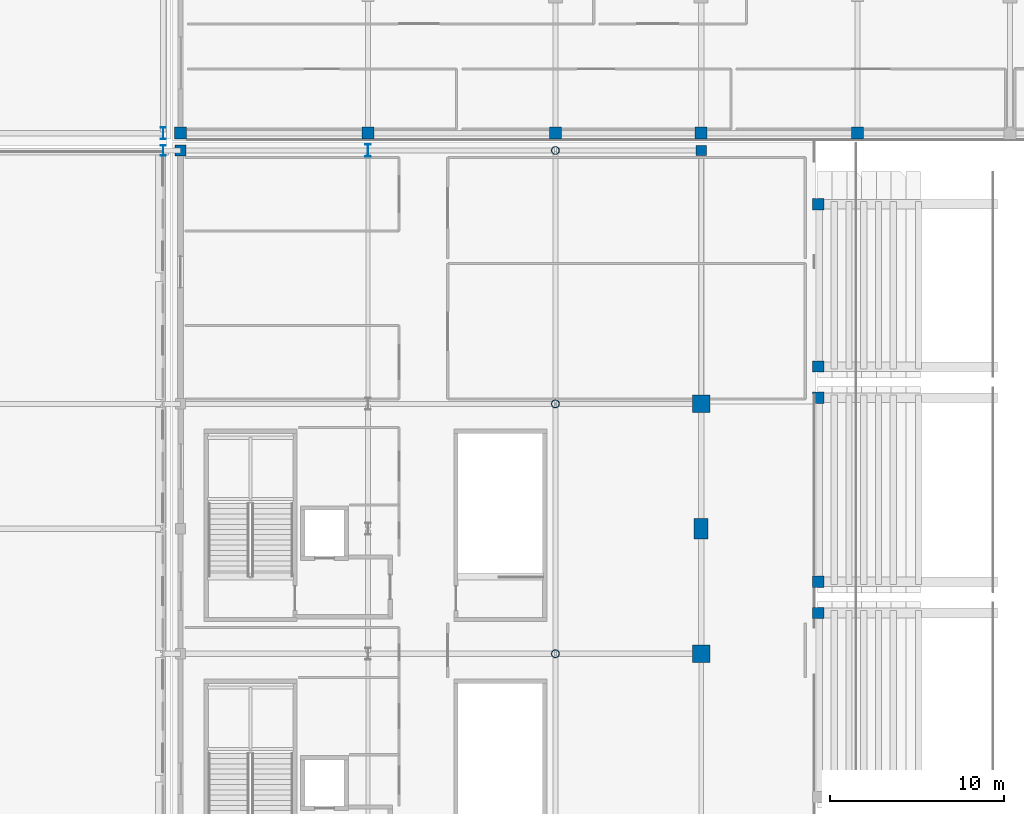
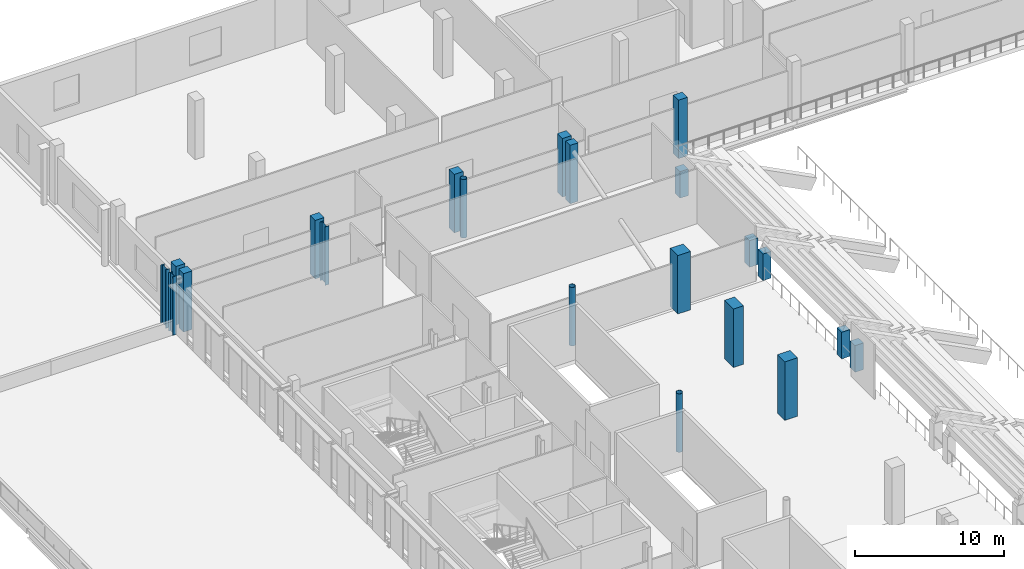
# One storey, part 5 of 74: 21 columns.
"""IFC4 building model written with IfcOpenShell, lengths in metres."""

from ifc_helpers import new_model, si_unit, direction, frame, origin, origin_2d, place, context, subcontext, project, spatial, rectangle, hollow_circle, i_section, extrude, material, material_profile, profile_set, type_object, element, save


model = new_model("IFC4")

# Units and contexts
model_context = context("Model", 3, precision=1e-05, world=origin(), true_north=direction((0.0, 1.0)))
body_context = subcontext(model_context, "Body", "Model", "MODEL_VIEW")
ifc_project = project(units=[si_unit("LENGTHUNIT", "METRE"), si_unit("AREAUNIT", "SQUARE_METRE"), si_unit("VOLUMEUNIT", "CUBIC_METRE"), si_unit("PLANEANGLEUNIT", "RADIAN"), si_unit("MASSUNIT", "GRAM", prefix="KILO")], contexts=[model_context])

# Site, building, storey
site_placement = place(None, origin())
site = spatial("IfcSite", under=ifc_project, at=site_placement, CompositionType="ELEMENT")
building_placement = place(site_placement, origin())
building = spatial("IfcBuilding", under=site, at=building_placement, Name="Koshinbarg Plaza Stadium", CompositionType="ELEMENT")
storey_placement = place(building_placement, frame((0.0, 0.0, 15.0)))
storey = spatial("IfcBuildingStorey", under=building, at=storey_placement, Name="L03", CompositionType="ELEMENT", Elevation=15.0)

# Columns
ifc_material_1 = material(Name="Concrete C40/50", Category="concrete")
ifc_material_profile_1 = material_profile(ifc_material_1, rectangle(XDim=0.60009765625, YDim=0.60009765625, at=origin_2d()), Name="RC 600x600")
ifc_profile_set_1 = profile_set([ifc_material_profile_1], Name="Concrete C40/50")
column_type_1 = type_object("IfcColumnType", Name="COL-RC-04", PredefinedType="COLUMN", material=ifc_profile_set_1)
column_1_placement = place(storey_placement, frame((54.60009765625, 126.5, 0.0), z_axis=(0.0, 0.0, 1.0), x_axis=(1.0, 0.0, 0.0)))
element("IfcColumn", 1, at=column_1_placement, inside=storey, type_object=column_type_1, Name="L03 column 8/R", PredefinedType="COLUMN", context=body_context, shape_type="SweptSolid", body=[
    extrude(rectangle(XDim=0.60009765625, YDim=0.60009765625, at=origin_2d()), origin(), (0.0, 0.0, 1.0), 4.800048828125),
])
ifc_material_profile_2 = material_profile(ifc_material_1, rectangle(XDim=0.64990234375, YDim=0.64990234375, at=origin_2d()), Name="RC 650x650")
ifc_profile_set_2 = profile_set([ifc_material_profile_2], Name="Concrete C40/50")
column_type_2 = type_object("IfcColumnType", Name="COL-RC-05", PredefinedType="COLUMN", material=ifc_profile_set_2)
column_2_placement = place(storey_placement, frame((24.60009765625, 126.5, 0.0), z_axis=(0.0, 0.0, 1.0), x_axis=(1.0, 0.0, 0.0)))
element("IfcColumn", 2, at=column_2_placement, inside=storey, type_object=column_type_2, Name="L03 column 5/R", PredefinedType="COLUMN", context=body_context, shape_type="SweptSolid", body=[
    extrude(rectangle(XDim=0.64990234375, YDim=0.64990234375, at=origin_2d()), origin(), (0.0, 0.0, 1.0), 4.800048828125),
])
for number, where, z_axis, x_axis, name in (
    (3, (61.340087890625, 99.85009765625, 0.0), (0.0, 0.0, 1.0), (1.0, 0.0, 0.0), "L03 bowl raker column UT-W06-R-CB"),
    (4, (61.340087890625, 101.64990234375, 0.0), (0.0, 0.0, 1.0), (1.0, 0.0, 0.0), "L03 bowl raker column UT-W07-L-CB"),
    (5, (61.340087890625, 112.25, 0.0), (0.0, 0.0, 1.0), (1.0, 0.0, 0.0), "L03 bowl raker column UT-W07-R-CB"),
    (6, (61.340087890625, 114.050048828125, 0.0), (0.0, 0.0, 1.0), (1.0, 0.0, 0.0), "L03 bowl raker column UT-W08-L-CB"),
    (7, (61.340087890625, 123.39990234375, 0.0), (0.0, 0.0, 1.0), (1.0, 0.0, 0.0), "L03 bowl raker column UT-W08-R-CB"),
):
    element("IfcColumn", number, at=place(storey_placement, frame(where, z_axis=z_axis, x_axis=x_axis)), inside=storey, type_object=column_type_2, Name=name, PredefinedType="COLUMN", context=body_context, shape_type="SweptSolid", body=[
        extrude(rectangle(XDim=0.64990234375, YDim=0.64990234375, at=origin_2d()), origin(), (0.0, 0.0, 1.0), 2.18798828125),
    ])
ifc_material_profile_3 = material_profile(ifc_material_1, rectangle(XDim=0.699951171875, YDim=0.699951171875, at=origin_2d()), Name="RC 700x700")
ifc_profile_set_3 = profile_set([ifc_material_profile_3], Name="Concrete C40/50")
column_type_3 = type_object("IfcColumnType", Name="COL-RC-06", PredefinedType="COLUMN", material=ifc_profile_set_3)
for number, where, z_axis, x_axis, name in (
    (8, (24.60009765625, 127.5, 0.0), (0.0, 0.0, 1.0), (1.0, 0.0, 0.0), "L03 column 5/S"),
    (9, (35.39990234375, 127.5, 0.0), (0.0, 0.0, 1.0), (1.0, 0.0, 0.0), "L03 column 6/S"),
    (10, (46.199951171875, 127.5, 0.0), (0.0, 0.0, 1.0), (1.0, 0.0, 0.0), "L03 column 7/S"),
    (11, (54.60009765625, 127.5, 0.0), (0.0, 0.0, 1.0), (1.0, 0.0, 0.0), "L03 column 8/S"),
    (12, (63.60009765625, 127.5, 0.0), (0.0, 0.0, 1.0), (1.0, 0.0, 0.0), "L03 column 9/S"),
):
    element("IfcColumn", number, at=place(storey_placement, frame(where, z_axis=z_axis, x_axis=x_axis)), inside=storey, type_object=column_type_3, Name=name, PredefinedType="COLUMN", context=body_context, shape_type="SweptSolid", body=[
        extrude(rectangle(XDim=0.699951171875, YDim=0.699951171875, at=origin_2d()), origin(), (0.0, 0.0, 1.0), 4.800048828125),
    ])
ifc_material_profile_4 = material_profile(ifc_material_1, rectangle(XDim=1.0, YDim=1.0, at=origin_2d()), Name="RC 1000x1000")
ifc_profile_set_4 = profile_set([ifc_material_profile_4], Name="Concrete C40/50")
column_type_4 = type_object("IfcColumnType", Name="COL-RC-11", PredefinedType="COLUMN", material=ifc_profile_set_4)
for number, where, z_axis, x_axis, name in (
    (13, (54.60009765625, 97.5, 0.0), (0.0, 0.0, 1.0), (1.0, 0.0, 0.0), "L03 column 8/N"),
    (14, (54.60009765625, 111.89990234375, 0.0), (0.0, 0.0, 1.0), (1.0, 0.0, 0.0), "L03 column 8/Q"),
):
    element("IfcColumn", number, at=place(storey_placement, frame(where, z_axis=z_axis, x_axis=x_axis)), inside=storey, type_object=column_type_4, Name=name, PredefinedType="COLUMN", context=body_context, shape_type="SweptSolid", body=[
        extrude(rectangle(XDim=1.0, YDim=1.0, at=origin_2d()), origin(), (0.0, 0.0, 1.0), 4.800048828125),
    ])
ifc_material_profile_5 = material_profile(ifc_material_1, rectangle(XDim=0.800048828125, YDim=1.199951171875, at=origin_2d()), Name="RC 800x1200")
ifc_profile_set_5 = profile_set([ifc_material_profile_5], Name="Concrete C40/50")
column_type_5 = type_object("IfcColumnType", Name="COL-RC-14", PredefinedType="COLUMN", material=ifc_profile_set_5)
column_3_placement = place(storey_placement, frame((54.60009765625, 104.699951171875, 0.0), z_axis=(0.0, 0.0, 1.0), x_axis=(1.0, 0.0, 0.0)))
element("IfcColumn", 15, at=column_3_placement, inside=storey, type_object=column_type_5, Name="L03 column 8/P", PredefinedType="COLUMN", context=body_context, shape_type="SweptSolid", body=[
    extrude(rectangle(XDim=0.800048828125, YDim=1.199951171875, at=origin_2d()), origin(), (0.0, 0.0, 1.0), 4.800048828125),
])
ifc_material_2 = material(Name="Steel S355", Category="steel")
ifc_material_profile_6 = material_profile(ifc_material_2, i_section(OverallWidth=0.300048828125, OverallDepth=0.60009765625, WebThickness=0.015380859375, FlangeThickness=0.030029296875, at=origin_2d()), Name="HEB 600")
ifc_profile_set_6 = profile_set([ifc_material_profile_6], Name="Steel S355")
column_type_6 = type_object("IfcColumnType", Name="COL-STL-03", PredefinedType="COLUMN", material=ifc_profile_set_6)
column_4_placement = place(storey_placement, frame((23.60009765625, 126.5, 0.0), z_axis=(0.0, 0.0, 1.0), x_axis=(1.0, 0.0, 0.0)))
element("IfcColumn", 16, at=column_4_placement, inside=storey, type_object=column_type_6, Name="L03 column 4/R", PredefinedType="COLUMN", context=body_context, shape_type="SweptSolid", body=[
    extrude(i_section(OverallWidth=0.300048828125, OverallDepth=0.60009765625, WebThickness=0.015380859375, FlangeThickness=0.030029296875, at=origin_2d()), origin(), (0.0, 0.0, 1.0), 4.800048828125),
])
ifc_material_profile_7 = material_profile(ifc_material_2, i_section(OverallWidth=0.300048828125, OverallDepth=0.699951171875, WebThickness=0.01708984375, FlangeThickness=0.031982421875, at=origin_2d()), Name="HEB 700")
ifc_profile_set_7 = profile_set([ifc_material_profile_7], Name="Steel S355")
column_type_7 = type_object("IfcColumnType", Name="COL-STL-04", PredefinedType="COLUMN", material=ifc_profile_set_7)
for number, where, z_axis, x_axis, name in (
    (17, (23.60009765625, 127.5, 0.0), (0.0, 0.0, 1.0), (1.0, 0.0, 0.0), "L03 column 4/S"),
    (18, (35.39990234375, 126.5, 0.0), (0.0, 0.0, 1.0), (1.0, 0.0, 0.0), "L03 column 6/R"),
):
    element("IfcColumn", number, at=place(storey_placement, frame(where, z_axis=z_axis, x_axis=x_axis)), inside=storey, type_object=column_type_7, Name=name, PredefinedType="COLUMN", context=body_context, shape_type="SweptSolid", body=[
        extrude(i_section(OverallWidth=0.300048828125, OverallDepth=0.699951171875, WebThickness=0.01708984375, FlangeThickness=0.031982421875, at=origin_2d()), origin(), (0.0, 0.0, 1.0), 4.800048828125),
    ])
ifc_material_profile_8 = material_profile(ifc_material_2, hollow_circle(Radius=0.228515625, WallThickness=0.02001953125, at=origin_2d()), Name="CHS 457x20")
ifc_profile_set_8 = profile_set([ifc_material_profile_8], Name="Steel S355")
column_type_8 = type_object("IfcColumnType", Name="COL-STL-05", PredefinedType="COLUMN", material=ifc_profile_set_8)
for number, where, z_axis, x_axis, name in (
    (19, (46.199951171875, 97.5, 0.0), (0.0, 0.0, 1.0), (1.0, 0.0, 0.0), "L03 column 7/N"),
    (20, (46.199951171875, 111.89990234375, 0.0), (0.0, 0.0, 1.0), (1.0, 0.0, 0.0), "L03 column 7/Q"),
    (21, (46.199951171875, 126.5, 0.0), (0.0, 0.0, 1.0), (1.0, 0.0, 0.0), "L03 column 7/R"),
):
    element("IfcColumn", number, at=place(storey_placement, frame(where, z_axis=z_axis, x_axis=x_axis)), inside=storey, type_object=column_type_8, Name=name, PredefinedType="COLUMN", context=body_context, shape_type="SweptSolid", body=[
        extrude(hollow_circle(Radius=0.228515625, WallThickness=0.02001953125, at=origin_2d()), origin(), (0.0, 0.0, 1.0), 4.800048828125),
    ])

save(model, "model.ifc")
